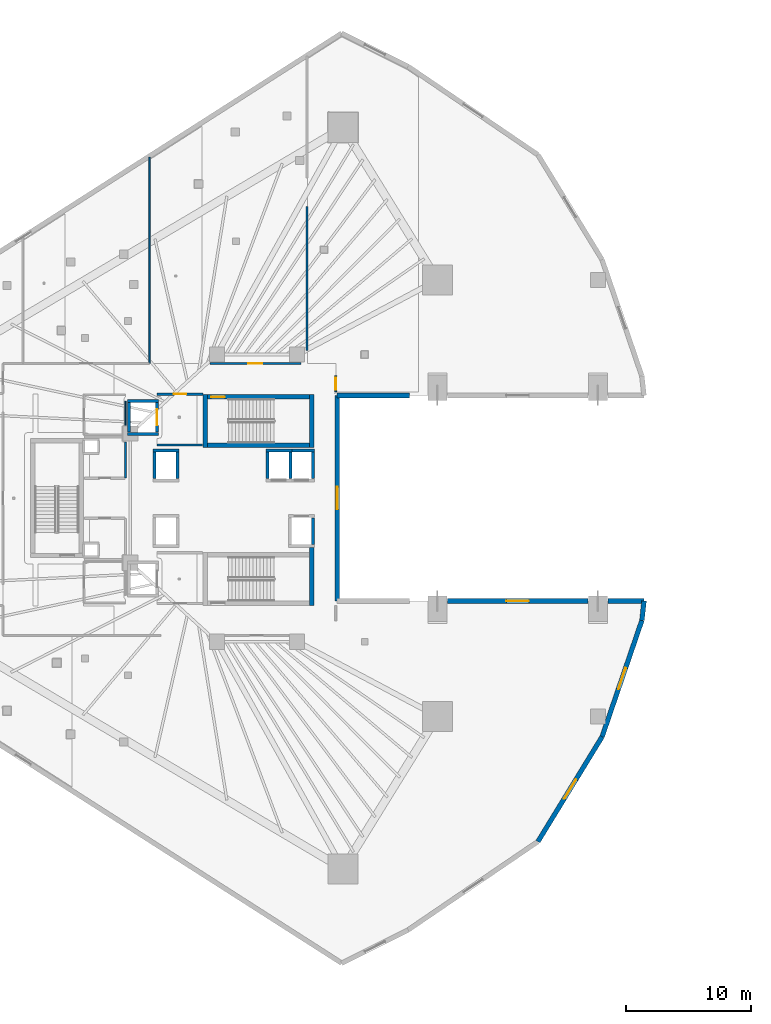
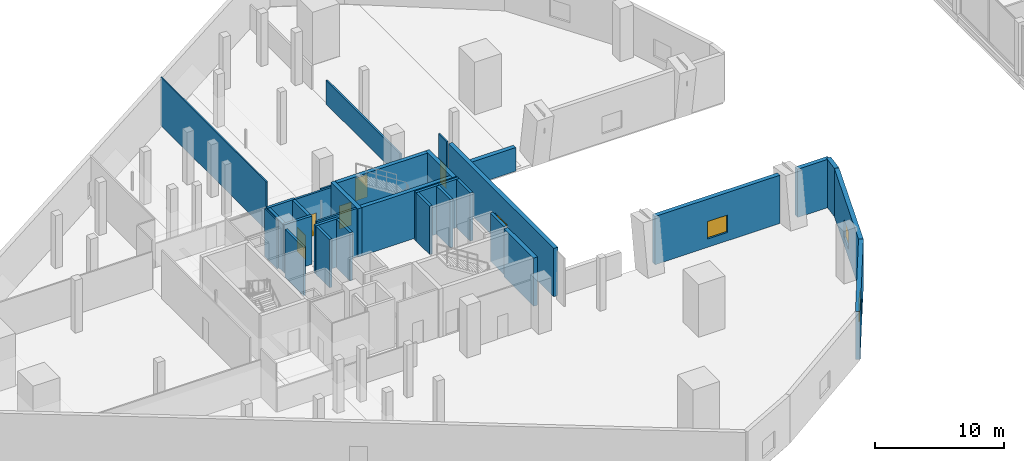
# One storey, part 30 of 43: 33 walls, 5 doors, 4 windows, 9 openings.
"""IFC4 building model written with IfcOpenShell, lengths in metres."""

from ifc_helpers import new_model, si_unit, direction, frame, frame_2d, origin, place, context, subcontext, project, spatial, rectangle, extrude, material, layer, layer_set, type_object, element, fill, save


model = new_model("IFC4")

# Units and contexts
model_context = context("Model", 3, precision=1e-05, world=origin(), true_north=direction((0.0, 1.0)))
body_context = subcontext(model_context, "Body", "Model", "MODEL_VIEW")
ifc_project = project(units=[si_unit("LENGTHUNIT", "METRE"), si_unit("AREAUNIT", "SQUARE_METRE"), si_unit("VOLUMEUNIT", "CUBIC_METRE"), si_unit("PLANEANGLEUNIT", "RADIAN"), si_unit("MASSUNIT", "GRAM", prefix="KILO")], contexts=[model_context])

# Site, building, storey
site_placement = place(None, origin())
site = spatial("IfcSite", under=ifc_project, at=site_placement, CompositionType="ELEMENT")
building_placement = place(site_placement, origin())
building = spatial("IfcBuilding", under=site, at=building_placement, Name="Qorvath Tower", CompositionType="ELEMENT")
storey_placement = place(building_placement, frame((0.0, 0.0, 22.0)))
storey = spatial("IfcBuildingStorey", under=building, at=storey_placement, Name="L04", CompositionType="ELEMENT", Elevation=22.0)

# Wall
ifc_material_1 = material(Name="Gypsum shaftliner on steel studs", Category="steel")
ifc_layer_1 = layer(ifc_material_1, 0.179931640625)
ifc_layer_set_1 = layer_set([ifc_layer_1], Name="FW-LOBBY")
wall_type_1 = type_object("IfcWallType", Name="FW-LOBBY", PredefinedType="PARTITIONING", material=ifc_layer_set_1)
wall_1_placement = place(storey_placement, frame((-28.35498046875, 4.25, 0.0), z_axis=(0.0, 0.0, 1.0), x_axis=(1.0, 0.0, 0.0)))
element("IfcWall", 1, at=wall_1_placement, inside=storey, type_object=wall_type_1, Name="Interior Partition IW-T1-L04-001", PredefinedType="PARTITIONING", context=body_context, shape_type="SweptSolid", body=[
    extrude(rectangle(XDim=3.6220703125, YDim=0.179931640625, at=frame_2d((1.81103515625, 0.0))), origin(), (0.0, 0.0, 1.0), 4.580078125),
])

# Wall, opening, door
wall_2_placement = place(storey_placement, frame((-24.68408203125, 8.300048828125, 0.0), z_axis=(0.0, 0.0, 1.0), x_axis=(-1.0, 0.0, 0.0)))
wall_2 = element("IfcWall", 2, at=wall_2_placement, inside=storey, type_object=wall_type_1, Name="Interior Partition IW-T1-L04-002", PredefinedType="PARTITIONING", context=body_context, shape_type="SweptSolid", body=[
    extrude(rectangle(XDim=3.6708984375, YDim=0.179931640625, at=frame_2d((1.83544921875, 0.0))), origin(), (0.0, 0.0, 1.0), 4.093017578125),
])
opening_1_placement = place(wall_2_placement, frame((1.33544921875, 0.0, 0.0)))
opening_1 = element("IfcOpeningElement", 3, at=opening_1_placement, cuts=wall_2, Name="Opening D-T1-L04-09", PredefinedType="OPENING", context=body_context, shape_type="SweptSolid", body=[
    extrude(rectangle(XDim=1.0, YDim=2.14990234375, at=frame_2d((0.5, 1.074951171875))), frame((0.0, 0.10009765625, 0.0), z_axis=(0.0, -1.0, 0.0), x_axis=(1.0, 0.0, 0.0)), (0.0, 0.0, 1.0), 0.199951171875),
])
ifc_material_2 = material(Name="Painted galvanised hollow metal", Category="steel")
door_type_1 = type_object("IfcDoorType", Name="FD-60", OperationType="NOTDEFINED", PredefinedType="DOOR", material=ifc_material_2)
door_1_placement = place(opening_1_placement, origin())
door_1 = element("IfcDoor", 4, at=door_1_placement, inside=storey, type_object=door_type_1, Name="Lobby Fire Service Elevator North Door D-T1-L04-09", OperationType="SINGLE_SWING_LEFT", OverallHeight=2.14990234375, OverallWidth=1.0, PredefinedType="DOOR", context=body_context, shape_type="SweptSolid", body=[
    extrude(rectangle(XDim=1.0, YDim=2.14990234375, at=frame_2d((0.5, 1.074951171875))), frame((0.0, 0.02490234375, 0.0), z_axis=(0.0, -1.0, 0.0), x_axis=(1.0, 0.0, 0.0)), (0.0, 0.0, 1.0), 0.050048828125),
])
fill(opening_1, door_1)

# Wall
wall_3_placement = place(storey_placement, frame((-30.8798828125, 1.625, 0.0), z_axis=(0.0, 0.0, 1.0), x_axis=(0.0, 1.0, 0.0)))
element("IfcWall", 5, at=wall_3_placement, inside=storey, type_object=wall_type_1, Name="Interior Partition IW-T1-L04-014", PredefinedType="PARTITIONING", context=body_context, shape_type="SweptSolid", body=[
    extrude(rectangle(XDim=2.860107421875, YDim=0.179931640625, at=frame_2d((1.43017578125, 0.0))), origin(), (0.0, 0.0, 1.0), 4.580078125),
])

# Wall, opening, door
ifc_material_3 = material(Name="Double acoustic gypsum board on steel studs", Category="steel")
ifc_layer_2 = layer(ifc_material_3, 0.159912109375)
ifc_layer_set_2 = layer_set([ifc_layer_2], Name="IW-ACOUSTIC-160")
wall_type_2 = type_object("IfcWallType", Name="IW-ACOUSTIC-160", PredefinedType="PARTITIONING", material=ifc_layer_set_2)
wall_4_placement = place(storey_placement, frame((-24.16015625, 10.758056640625, 0.0), z_axis=(0.0, 0.0, 1.0), x_axis=(1.0, 0.0, 0.0)))
wall_4 = element("IfcWall", 6, at=wall_4_placement, inside=storey, type_object=wall_type_2, Name="Interior Partition IW-T1-L04-025", PredefinedType="PARTITIONING", context=body_context, shape_type="SweptSolid", body=[
    extrude(rectangle(XDim=7.276611328125, YDim=0.159912109375, at=frame_2d((3.63818359375, 0.0))), origin(), (0.0, 0.0, 1.0), 2.25),
])
opening_2_placement = place(wall_4_placement, frame((3.08837890625, 0.0, 0.0)))
opening_2 = element("IfcOpeningElement", 7, at=opening_2_placement, cuts=wall_4, Name="Opening D-T1-L04-07", PredefinedType="OPENING", context=body_context, shape_type="SweptSolid", body=[
    extrude(rectangle(XDim=1.10009765625, YDim=2.14990234375, at=frame_2d((0.550048828125, 1.074951171875))), frame((0.0, 0.08984375, 0.0), z_axis=(0.0, -1.0, 0.0), x_axis=(1.0, 0.0, 0.0)), (0.0, 0.0, 1.0), 0.179931640625),
])
ifc_material_4 = material(Name="Anodised aluminium acoustic framed glass", Category="aluminium")
door_type_2 = type_object("IfcDoorType", Name="D-03", OperationType="NOTDEFINED", PredefinedType="DOOR", material=ifc_material_4)
door_2_placement = place(opening_2_placement, origin())
door_2 = element("IfcDoor", 8, at=door_2_placement, inside=storey, type_object=door_type_2, Name="L04-03 Client Services Office Door D-T1-L04-07", OperationType="SINGLE_SWING_LEFT", OverallHeight=2.14990234375, OverallWidth=1.10009765625, PredefinedType="DOOR", context=body_context, shape_type="SweptSolid", body=[
    extrude(rectangle(XDim=1.10009765625, YDim=2.14990234375, at=frame_2d((0.550048828125, 1.074951171875))), frame((0.0, 0.02490234375, 0.0), z_axis=(0.0, -1.0, 0.0), x_axis=(1.0, 0.0, 0.0)), (0.0, 0.0, 1.0), 0.050048828125),
])
fill(opening_2, door_2)

# Walls
wall_5_placement = place(storey_placement, frame((-16.388427734375, 11.7626953125, 0.0), z_axis=(0.0, 0.0, 1.0), x_axis=(0.0, 1.0, 0.0)))
element("IfcWall", 9, at=wall_5_placement, inside=storey, type_object=wall_type_2, Name="Interior Partition IW-T1-L04-026", PredefinedType="PARTITIONING", context=body_context, shape_type="SweptSolid", body=[
    extrude(rectangle(XDim=11.513916015625, YDim=0.159912109375, at=frame_2d((5.7568359375, 0.0))), origin(), (0.0, 0.0, 1.0), 2.25),
])
ifc_material_5 = material(Name="Gypsum board on metal studs with mineral wool", Category="gypsum")
ifc_layer_3 = layer(ifc_material_5, 0.125)
ifc_layer_set_3 = layer_set([ifc_layer_3], Name="IW-PART-125")
wall_type_3 = type_object("IfcWallType", Name="IW-PART-125", PredefinedType="PARTITIONING", material=ifc_layer_set_3)
wall_6_placement = place(storey_placement, frame((-28.9814453125, 10.783203125, 0.0), z_axis=(0.0, 0.0, 1.0), x_axis=(0.0, 1.0, 0.0)))
element("IfcWall", 10, at=wall_6_placement, inside=storey, type_object=wall_type_3, Name="Interior Partition IW-T1-L04-024", PredefinedType="PARTITIONING", context=body_context, shape_type="SweptSolid", body=[
    extrude(rectangle(XDim=16.4228515625, YDim=0.125, at=frame_2d((8.21142578125, 0.0))), origin(), (0.0, 0.0, 1.0), 4.580078125),
])

# Wall, opening, door
wall_7_placement = place(storey_placement, frame((-14.112060546875, 9.7705078125, 0.0), z_axis=(0.0, 0.0, 1.0), x_axis=(0.0, -1.0, 0.0)))
wall_7 = element("IfcWall", 11, at=wall_7_placement, inside=storey, type_object=wall_type_3, Name="Interior Partition IW-T1-L04-028", PredefinedType="PARTITIONING", context=body_context, shape_type="SweptSolid", body=[
    extrude(rectangle(XDim=1.29638671875, YDim=0.125, at=frame_2d((0.648193359375, 0.0))), origin(), (0.0, 0.0, 1.0), 4.580078125),
])
opening_3_placement = place(wall_7_placement, frame((0.173095703125, 0.0, 0.0)))
opening_3 = element("IfcOpeningElement", 12, at=opening_3_placement, cuts=wall_7, Name="Opening D-T1-L04-11", PredefinedType="OPENING", context=body_context, shape_type="SweptSolid", body=[
    extrude(rectangle(XDim=0.949951171875, YDim=2.14990234375, at=frame_2d((0.47509765625, 1.074951171875))), frame((0.0, 0.072509765625, 0.0), z_axis=(0.0, -1.0, 0.0), x_axis=(1.0, 0.0, 0.0)), (0.0, 0.0, 1.0), 0.14501953125),
])
ifc_material_6 = material(Name="Solid-core American white oak veneer", Category="wood")
door_type_3 = type_object("IfcDoorType", Name="D-01", OperationType="NOTDEFINED", PredefinedType="DOOR", material=ifc_material_6)
door_3_placement = place(opening_3_placement, origin())
door_3 = element("IfcDoor", 13, at=door_3_placement, inside=storey, type_object=door_type_3, Name="L04-04 Project Collaboration Workspace Door D-T1-L04-11", OperationType="SINGLE_SWING_LEFT", OverallHeight=2.14990234375, OverallWidth=0.949951171875, PredefinedType="DOOR", context=body_context, shape_type="SweptSolid", body=[
    extrude(rectangle(XDim=0.949951171875, YDim=2.14990234375, at=frame_2d((0.47509765625, 1.074951171875))), frame((0.0, 0.02490234375, 0.0), z_axis=(0.0, -1.0, 0.0), x_axis=(1.0, 0.0, 0.0)), (0.0, 0.0, 1.0), 0.050048828125),
])
fill(opening_3, door_3)

# Walls
ifc_material_7 = material(Name="Moisture-resistant cement board on metal studs", Category="gypsum")
ifc_layer_4 = layer(ifc_material_7, 0.110107421875)
ifc_layer_set_4 = layer_set([ifc_layer_4], Name="IW-WC-110")
wall_type_4 = type_object("IfcWallType", Name="IW-WC-110", PredefinedType="PARTITIONING", material=ifc_layer_set_4)
wall_8_placement = place(storey_placement, frame((-30.8798828125, 5.81494140625, 0.0), z_axis=(0.0, 0.0, 1.0), x_axis=(0.0, 1.0, 0.0)))
element("IfcWall", 14, at=wall_8_placement, inside=storey, type_object=wall_type_4, Name="Interior Partition IW-T1-L04-007", PredefinedType="PARTITIONING", context=body_context, shape_type="SweptSolid", body=[
    extrude(rectangle(XDim=1.927978515625, YDim=0.110107421875, at=frame_2d((0.9638671875, 0.0))), origin(), (0.0, 0.0, 1.0), 4.580078125),
])
ifc_material_8 = material(Name="Concrete C60/75", Category="concrete")
ifc_layer_5 = layer(ifc_material_8, 0.260009765625)
ifc_layer_set_5 = layer_set([ifc_layer_5], Name="SW-SHAFT")
wall_type_5 = type_object("IfcWallType", Name="SW-SHAFT", PredefinedType="SHEAR", material=ifc_layer_set_5)
for number, where, z_axis, x_axis, name in (
    (15, (-28.260009765625, 5.1298828125, 0.0), (0.0, 0.0, 1.0), (-1.0, 0.0, 0.0), "Hoistway Wall FSAE-1 L04 S"),
    (16, (-30.739990234375, 7.77001953125, 0.0), (0.0, 0.0, 1.0), (1.0, 0.0, 0.0), "Hoistway Wall FSAE-1 L04 N"),
):
    element("IfcWall", number, at=place(storey_placement, frame(where, z_axis=z_axis, x_axis=x_axis)), inside=storey, type_object=wall_type_5, Name=name, PredefinedType="SHEAR", context=body_context, shape_type="SweptSolid", body=[
        extrude(rectangle(XDim=2.47998046875, YDim=0.239990234375, at=frame_2d((1.239990234375, 0.0))), origin(), (0.0, 0.0, 1.0), 4.580078125),
    ])
wall_9_placement = place(storey_placement, frame((-30.6201171875, 5.261962890625, 0.0), z_axis=(0.0, 0.0, 1.0), x_axis=(0.0, 1.0, 0.0)))
element("IfcWall", 17, at=wall_9_placement, inside=storey, type_object=wall_type_5, Name="Hoistway Wall FSAE-1 L04 W", PredefinedType="SHEAR", context=body_context, shape_type="SweptSolid", body=[
    extrude(rectangle(XDim=2.3759765625, YDim=0.239990234375, at=frame_2d((1.18798828125, 0.0))), origin(), (0.0, 0.0, 1.0), 4.580078125),
])

# Wall, opening, door
wall_10_placement = place(storey_placement, frame((-28.3798828125, 7.637939453125, 0.0), z_axis=(0.0, 0.0, 1.0), x_axis=(0.0, -1.0, 0.0)))
wall_10 = element("IfcWall", 18, at=wall_10_placement, inside=storey, type_object=wall_type_5, Name="Hoistway Wall FSAE-1 L04 E", PredefinedType="SHEAR", context=body_context, shape_type="SweptSolid", body=[
    extrude(rectangle(XDim=2.3759765625, YDim=0.239990234375, at=frame_2d((1.18798828125, 0.0))), origin(), (0.0, 0.0, 1.0), 4.580078125),
])
opening_4_placement = place(wall_10_placement, frame((0.537841796875, 0.0, 0.0)))
opening_4 = element("IfcOpeningElement", 19, at=opening_4_placement, cuts=wall_10, Name="Opening LD-FSAE-1-L04", PredefinedType="OPENING", context=body_context, shape_type="SweptSolid", body=[
    extrude(rectangle(XDim=1.300048828125, YDim=2.300048828125, at=frame_2d((0.64990234375, 1.14990234375))), frame((0.0, 0.1298828125, 0.0), z_axis=(0.0, -1.0, 0.0), x_axis=(1.0, 0.0, 0.0)), (0.0, 0.0, 1.0), 0.260009765625),
])
ifc_material_9 = material(Name="Brushed stainless steel AISI 316", Category="steel")
door_type_4 = type_object("IfcDoorType", Name="LD-02", OperationType="NOTDEFINED", PredefinedType="DOOR", material=ifc_material_9)
door_4_placement = place(opening_4_placement, origin())
door_4 = element("IfcDoor", 20, at=door_4_placement, inside=storey, type_object=door_type_4, Name="Elevator Landing Sliding Door LD-FSAE-1-L04", OperationType="DOUBLE_DOOR_SLIDING", OverallHeight=2.300048828125, OverallWidth=1.300048828125, PredefinedType="DOOR", context=body_context, shape_type="SweptSolid", body=[
    extrude(rectangle(XDim=1.300048828125, YDim=2.300048828125, at=frame_2d((0.64990234375, 1.14990234375))), frame((0.0, 0.02490234375, 0.0), z_axis=(0.0, -1.0, 0.0), x_axis=(1.0, 0.0, 0.0)), (0.0, 0.0, 1.0), 0.050048828125),
])
fill(opening_4, door_4)

# Walls
wall_11_placement = place(storey_placement, frame((-28.68994140625, 3.820068359375, 0.0), z_axis=(0.0, 0.0, 1.0), x_axis=(1.0, 0.0, 0.0)))
element("IfcWall", 21, at=wall_11_placement, inside=storey, type_object=wall_type_5, Name="Hoistway Wall PS-1 L04 N", PredefinedType="SHEAR", context=body_context, shape_type="SweptSolid", body=[
    extrude(rectangle(XDim=2.079833984375, YDim=0.239990234375, at=frame_2d((1.0400390625, 0.0))), origin(), (0.0, 0.0, 1.0), 4.580078125),
])
for number, where, z_axis, x_axis, name in (
    (22, (-28.570068359375, 1.56201171875, 0.0), (0.0, 0.0, 1.0), (0.0, 1.0, 0.0), "Hoistway Wall PS-1 L04 W"),
    (23, (-26.72998046875, 3.68798828125, 0.0), (0.0, 0.0, 1.0), (0.0, -1.0, 0.0), "Hoistway Wall PS-1 L04 E"),
):
    element("IfcWall", number, at=place(storey_placement, frame(where, z_axis=z_axis, x_axis=x_axis)), inside=storey, type_object=wall_type_5, Name=name, PredefinedType="SHEAR", context=body_context, shape_type="SweptSolid", body=[
        extrude(rectangle(XDim=2.1259765625, YDim=0.239990234375, at=frame_2d((1.06298828125, 0.0))), origin(), (0.0, 0.0, 1.0), 4.580078125),
    ])
wall_12_placement = place(storey_placement, frame((-19.68994140625, 3.820068359375, 0.0), z_axis=(0.0, 0.0, 1.0), x_axis=(1.0, 0.0, 0.0)))
element("IfcWall", 24, at=wall_12_placement, inside=storey, type_object=wall_type_5, Name="Hoistway Wall PL-1 L04 N", PredefinedType="SHEAR", context=body_context, shape_type="SweptSolid", body=[
    extrude(rectangle(XDim=2.079833984375, YDim=0.239990234375, at=frame_2d((1.0400390625, 0.0))), origin(), (0.0, 0.0, 1.0), 4.580078125),
])
for number, where, z_axis, x_axis, name in (
    (25, (-19.570068359375, 1.56201171875, 0.0), (0.0, 0.0, 1.0), (0.0, 1.0, 0.0), "Hoistway Wall PL-1 L04 W"),
    (26, (-17.72998046875, 3.68798828125, 0.0), (0.0, 0.0, 1.0), (0.0, -1.0, 0.0), "Hoistway Wall PL-1 L04 E"),
):
    element("IfcWall", number, at=place(storey_placement, frame(where, z_axis=z_axis, x_axis=x_axis)), inside=storey, type_object=wall_type_5, Name=name, PredefinedType="SHEAR", context=body_context, shape_type="SweptSolid", body=[
        extrude(rectangle(XDim=2.1259765625, YDim=0.239990234375, at=frame_2d((1.06298828125, 0.0))), origin(), (0.0, 0.0, 1.0), 4.580078125),
    ])
wall_13_placement = place(storey_placement, frame((-17.610107421875, 3.820068359375, 0.0), z_axis=(0.0, 0.0, 1.0), x_axis=(1.0, 0.0, 0.0)))
element("IfcWall", 27, at=wall_13_placement, inside=storey, type_object=wall_type_5, Name="Hoistway Wall PL-3 L04 N", PredefinedType="SHEAR", context=body_context, shape_type="SweptSolid", body=[
    extrude(rectangle(XDim=1.800048828125, YDim=0.239990234375, at=frame_2d((0.89990234375, 0.0))), origin(), (0.0, 0.0, 1.0), 4.580078125),
])
for number, where, z_axis, x_axis, name in (
    (28, (-15.929931640625, 3.68798828125, 0.0), (0.0, 0.0, 1.0), (0.0, -1.0, 0.0), "Hoistway Wall PL-3 L04 E"),
    (29, (-15.929931640625, -1.56201171875, 0.0), (0.0, 0.0, 1.0), (0.0, -1.0, 0.0), "Hoistway Wall PL-2 L04 E"),
):
    element("IfcWall", number, at=place(storey_placement, frame(where, z_axis=z_axis, x_axis=x_axis)), inside=storey, type_object=wall_type_5, Name=name, PredefinedType="SHEAR", context=body_context, shape_type="SweptSolid", body=[
        extrude(rectangle(XDim=2.1259765625, YDim=0.239990234375, at=frame_2d((1.06298828125, 0.0))), origin(), (0.0, 0.0, 1.0), 4.580078125),
    ])
ifc_material_10 = material(Name="Concrete C60/75", Category="concrete")
ifc_layer_6 = layer(ifc_material_10, 0.35009765625)
ifc_layer_set_6 = layer_set([ifc_layer_6], Name="SW-STAIR")
wall_type_6 = type_object("IfcWallType", Name="SW-STAIR", PredefinedType="SHEAR", material=ifc_layer_set_6)
for number, where, z_axis, x_axis, name in (
    (30, (-24.52490234375, 8.260009765625, 0.0), (0.0, 0.0, 1.0), (0.0, -1.0, 0.0), "Stair TS1 Shear Wall L04 NEAR"),
    (31, (-16.02490234375, 4.050048828125, 0.0), (0.0, 0.0, 1.0), (0.0, 1.0, 0.0), "Stair TS1 Shear Wall L04 FAR"),
):
    element("IfcWall", number, at=place(storey_placement, frame(where, z_axis=z_axis, x_axis=x_axis)), inside=storey, type_object=wall_type_6, Name=name, PredefinedType="SHEAR", context=body_context, shape_type="SweptSolid", body=[
        extrude(rectangle(XDim=4.2099609375, YDim=0.35009765625, at=frame_2d((2.10498046875, 0.0))), origin(), (0.0, 0.0, 1.0), 4.580078125),
    ])
wall_14_placement = place(storey_placement, frame((-24.3349609375, 4.22509765625, 0.0), z_axis=(0.0, 0.0, 1.0), x_axis=(1.0, 0.0, 0.0)))
element("IfcWall", 32, at=wall_14_placement, inside=storey, type_object=wall_type_6, Name="Stair TS1 Shear Wall L04 LEFT", PredefinedType="SHEAR", context=body_context, shape_type="SweptSolid", body=[
    extrude(rectangle(XDim=8.119873046875, YDim=0.35009765625, at=frame_2d((4.06005859375, 0.0))), origin(), (0.0, 0.0, 1.0), 4.580078125),
])

# Wall, opening, door
wall_15_placement = place(storey_placement, frame((-16.215087890625, 8.0849609375, 0.0), z_axis=(0.0, 0.0, 1.0), x_axis=(-1.0, 0.0, 0.0)))
wall_15 = element("IfcWall", 33, at=wall_15_placement, inside=storey, type_object=wall_type_6, Name="Stair TS1 Shear Wall L04 RIGHT", PredefinedType="SHEAR", context=body_context, shape_type="SweptSolid", body=[
    extrude(rectangle(XDim=8.119873046875, YDim=0.35009765625, at=frame_2d((4.06005859375, 0.0))), origin(), (0.0, 0.0, 1.0), 4.580078125),
])
opening_5_placement = place(wall_15_placement, frame((6.739990234375, 0.0, 0.0)))
opening_5 = element("IfcOpeningElement", 34, at=opening_5_placement, cuts=wall_15, Name="Opening D-TS1-L04", PredefinedType="OPENING", context=body_context, shape_type="SweptSolid", body=[
    extrude(rectangle(XDim=1.10009765625, YDim=2.199951171875, at=frame_2d((0.550048828125, 1.10009765625))), frame((0.0, 0.18505859375, 0.0), z_axis=(0.0, -1.0, 0.0), x_axis=(1.0, 0.0, 0.0)), (0.0, 0.0, 1.0), 0.3701171875),
])
ifc_material_11 = material(Name="Painted galvanised hollow metal", Category="steel")
door_type_5 = type_object("IfcDoorType", Name="FD-90", OperationType="NOTDEFINED", PredefinedType="DOOR", material=ifc_material_11)
door_5_placement = place(opening_5_placement, origin())
door_5 = element("IfcDoor", 35, at=door_5_placement, inside=storey, type_object=door_type_5, Name="Stair TS1 Fire Door L04", OperationType="SINGLE_SWING_LEFT", OverallHeight=2.199951171875, OverallWidth=1.10009765625, PredefinedType="DOOR", context=body_context, shape_type="SweptSolid", body=[
    extrude(rectangle(XDim=1.10009765625, YDim=2.199951171875, at=frame_2d((0.550048828125, 1.10009765625))), frame((0.0, 0.02490234375, 0.0), z_axis=(0.0, -1.0, 0.0), x_axis=(1.0, 0.0, 0.0)), (0.0, 0.0, 1.0), 0.050048828125),
])
fill(opening_5, door_5)

# Walls
wall_16_placement = place(storey_placement, frame((-16.02490234375, -8.550048828125, 0.0), z_axis=(0.0, 0.0, 1.0), x_axis=(0.0, 1.0, 0.0)))
element("IfcWall", 36, at=wall_16_placement, inside=storey, type_object=wall_type_6, Name="Stair TS2 Shear Wall L04 FAR", PredefinedType="SHEAR", context=body_context, shape_type="SweptSolid", body=[
    extrude(rectangle(XDim=4.610107421875, YDim=0.35009765625, at=frame_2d((2.30517578125, 0.0))), origin(), (0.0, 0.0, 1.0), 4.580078125),
])
ifc_material_12 = material(Name="Precast concrete C50/60", Category="concrete")
ifc_layer_7 = layer(ifc_material_12, 0.3798828125)
ifc_layer_set_7 = layer_set([ifc_layer_7], Name="WL-EW-POD-380")
wall_type_7 = type_object("IfcWallType", Name="WL-EW-POD-380", PredefinedType="SOLIDWALL", material=ifc_layer_set_7)
wall_17_placement = place(storey_placement, frame((10.483154296875, -8.199951171875, 0.0), z_axis=(0.0, 0.0, 1.0), x_axis=(-1.0, 0.0, 0.0)))
element("IfcWall", 37, at=wall_17_placement, inside=storey, type_object=wall_type_7, Name="Tower Podium Precast Facade Wall L04-1.1", PredefinedType="SOLIDWALL", context=body_context, shape_type="SweptSolid", body=[
    extrude(rectangle(XDim=2.88818359375, YDim=0.3798828125, at=frame_2d((1.444091796875, 0.0))), origin(), (0.0, 0.0, 1.0), 4.580078125),
])

# Wall, opening, window
wall_18_placement = place(storey_placement, frame((6.0048828125, -8.199951171875, 0.0), z_axis=(0.0, 0.0, 1.0), x_axis=(-1.0, 0.0, 0.0)))
wall_18 = element("IfcWall", 38, at=wall_18_placement, inside=storey, type_object=wall_type_7, Name="Tower Podium Precast Facade Wall L04-1.2", PredefinedType="SOLIDWALL", context=body_context, shape_type="SweptSolid", body=[
    extrude(rectangle(XDim=11.2099609375, YDim=0.3798828125, at=frame_2d((5.60498046875, 0.0))), origin(), (0.0, 0.0, 1.0), 4.580078125),
])
opening_6_placement = place(wall_18_placement, frame((4.705078125, 0.0, 0.800048828125)))
opening_6 = element("IfcOpeningElement", 39, at=opening_6_placement, cuts=wall_18, Name="Opening WN-L04-043", PredefinedType="OPENING", context=body_context, shape_type="SweptSolid", body=[
    extrude(rectangle(XDim=1.800048828125, YDim=1.64990234375, at=frame_2d((0.89990234375, 0.824951171875))), frame((0.0, 0.199951171875, 0.0), z_axis=(0.0, -1.0, 0.0), x_axis=(1.0, 0.0, 0.0)), (0.0, 0.0, 1.0), 0.39990234375),
])
ifc_material_13 = material(Name="Thermally broken aluminium and triple low-E glass", Category="aluminium")
window_type = type_object("IfcWindowType", Name="WN-1", PartitioningType="SINGLE_PANEL", PredefinedType="WINDOW", material=ifc_material_13)
window_1_placement = place(opening_6_placement, origin())
window_1 = element("IfcWindow", 40, at=window_1_placement, inside=storey, type_object=window_type, Name="Podium Punched Window L04-043", OverallHeight=1.64990234375, OverallWidth=1.800048828125, PartitioningType="SINGLE_PANEL", PredefinedType="WINDOW", context=body_context, shape_type="SweptSolid", body=[
    extrude(rectangle(XDim=1.800048828125, YDim=1.64990234375, at=frame_2d((0.89990234375, 0.824951171875))), frame((0.0, 0.030029296875, 0.0), z_axis=(0.0, -1.0, 0.0), x_axis=(1.0, 0.0, 0.0)), (0.0, 0.0, 1.0), 0.06005859375),
])
fill(opening_6, window_1)

wall_19_placement = place(storey_placement, frame((-14.0, 8.199951171875, 0.0), z_axis=(0.0, 0.0, 1.0), x_axis=(0.0, -1.0, 0.0)))
wall_19 = element("IfcWall", 41, at=wall_19_placement, inside=storey, type_object=wall_type_7, Name="Tower Podium Precast Facade Wall L04-2.1", PredefinedType="SOLIDWALL", context=body_context, shape_type="SweptSolid", body=[
    extrude(rectangle(XDim=16.39990234375, YDim=0.3798828125, at=frame_2d((8.199951171875, 0.0))), origin(), (0.0, 0.0, 1.0), 4.580078125),
])
opening_7_placement = place(wall_19_placement, frame((7.300048828125, 0.0, 0.800048828125)))
opening_7 = element("IfcOpeningElement", 42, at=opening_7_placement, cuts=wall_19, Name="Opening WN-L04-044", PredefinedType="OPENING", context=body_context, shape_type="SweptSolid", body=[
    extrude(rectangle(XDim=1.800048828125, YDim=1.64990234375, at=frame_2d((0.89990234375, 0.824951171875))), frame((0.0, 0.199951171875, 0.0), z_axis=(0.0, -1.0, 0.0), x_axis=(1.0, 0.0, 0.0)), (0.0, 0.0, 1.0), 0.39990234375),
])
window_2_placement = place(opening_7_placement, origin())
window_2 = element("IfcWindow", 43, at=window_2_placement, inside=storey, type_object=window_type, Name="Podium Punched Window L04-044", OverallHeight=1.64990234375, OverallWidth=1.800048828125, PartitioningType="SINGLE_PANEL", PredefinedType="WINDOW", context=body_context, shape_type="SweptSolid", body=[
    extrude(rectangle(XDim=1.800048828125, YDim=1.64990234375, at=frame_2d((0.89990234375, 0.824951171875))), frame((0.0, 0.030029296875, 0.0), z_axis=(0.0, -1.0, 0.0), x_axis=(1.0, 0.0, 0.0)), (0.0, 0.0, 1.0), 0.06005859375),
])
fill(opening_7, window_2)

# Wall
wall_20_placement = place(storey_placement, frame((-14.0, 8.199951171875, 0.0), z_axis=(0.0, 0.0, 1.0), x_axis=(1.0, 0.0, 0.0)))
element("IfcWall", 44, at=wall_20_placement, inside=storey, type_object=wall_type_7, Name="Tower Podium Precast Facade Wall L04-3.1", PredefinedType="SOLIDWALL", context=body_context, shape_type="SweptSolid", body=[
    extrude(rectangle(XDim=5.762939453125, YDim=0.3798828125, at=frame_2d((2.88134765625, 0.0))), origin(), (0.0, 0.0, 1.0), 2.25),
])

# Wall, opening, window
wall_21_placement = place(storey_placement, frame((7.139404296875, -19.029052734375, 0.0), z_axis=(0.0, 0.0, 1.0), x_axis=(-0.521922160909, -0.852993117178, 0.0)))
wall_21 = element("IfcWall", 45, at=wall_21_placement, inside=storey, type_object=wall_type_7, Name="Tower Podium Precast Facade Wall L04-14.1", PredefinedType="SOLIDWALL", context=body_context, shape_type="SweptSolid", body=[
    extrude(rectangle(XDim=9.807861328125, YDim=0.3798828125, at=frame_2d((4.90380859375, 0.0))), origin(), (0.0, 0.0, 1.0), 4.580078125),
])
opening_8_placement = place(wall_21_placement, frame((4.00390625, 0.0, 0.800048828125)))
opening_8 = element("IfcOpeningElement", 46, at=opening_8_placement, cuts=wall_21, Name="Opening WN-L04-055", PredefinedType="OPENING", context=body_context, shape_type="SweptSolid", body=[
    extrude(rectangle(XDim=1.800048828125, YDim=1.64990234375, at=frame_2d((0.89990234375, 0.824951171875))), frame((0.0, 0.199951171875, 0.0), z_axis=(0.0, -1.0, 0.0), x_axis=(1.0, 0.0, 0.0)), (0.0, 0.0, 1.0), 0.39990234375),
])
window_3_placement = place(opening_8_placement, origin())
window_3 = element("IfcWindow", 47, at=window_3_placement, inside=storey, type_object=window_type, Name="Podium Punched Window L04-055", OverallHeight=1.64990234375, OverallWidth=1.800048828125, PartitioningType="SINGLE_PANEL", PredefinedType="WINDOW", context=body_context, shape_type="SweptSolid", body=[
    extrude(rectangle(XDim=1.800048828125, YDim=1.64990234375, at=frame_2d((0.89990234375, 0.824951171875))), frame((0.0, 0.030029296875, 0.0), z_axis=(0.0, -1.0, 0.0), x_axis=(1.0, 0.0, 0.0)), (0.0, 0.0, 1.0), 0.06005859375),
])
fill(opening_8, window_3)

wall_22_placement = place(storey_placement, frame((10.3125, -9.748779296875, 0.0), z_axis=(0.0, 0.0, 1.0), x_axis=(-0.323529337119, -0.946218139767, 0.0)))
wall_22 = element("IfcWall", 48, at=wall_22_placement, inside=storey, type_object=wall_type_7, Name="Tower Podium Precast Facade Wall L04-15.1", PredefinedType="SOLIDWALL", context=body_context, shape_type="SweptSolid", body=[
    extrude(rectangle(XDim=9.807861328125, YDim=0.3798828125, at=frame_2d((4.90380859375, 0.0))), origin(), (0.0, 0.0, 1.0), 4.580078125),
])
opening_9_placement = place(wall_22_placement, frame((4.00390625, 0.0, 0.800048828125)))
opening_9 = element("IfcOpeningElement", 49, at=opening_9_placement, cuts=wall_22, Name="Opening WN-L04-056", PredefinedType="OPENING", context=body_context, shape_type="SweptSolid", body=[
    extrude(rectangle(XDim=1.800048828125, YDim=1.64990234375, at=frame_2d((0.89990234375, 0.824951171875))), frame((0.0, 0.199951171875, 0.0), z_axis=(0.0, -1.0, 0.0), x_axis=(1.0, 0.0, 0.0)), (0.0, 0.0, 1.0), 0.39990234375),
])
window_4_placement = place(opening_9_placement, origin())
window_4 = element("IfcWindow", 50, at=window_4_placement, inside=storey, type_object=window_type, Name="Podium Punched Window L04-056", OverallHeight=1.64990234375, OverallWidth=1.800048828125, PartitioningType="SINGLE_PANEL", PredefinedType="WINDOW", context=body_context, shape_type="SweptSolid", body=[
    extrude(rectangle(XDim=1.800048828125, YDim=1.64990234375, at=frame_2d((0.89990234375, 0.824951171875))), frame((0.0, 0.030029296875, 0.0), z_axis=(0.0, -1.0, 0.0), x_axis=(1.0, 0.0, 0.0)), (0.0, 0.0, 1.0), 0.06005859375),
])
fill(opening_9, window_4)

# Wall
wall_23_placement = place(storey_placement, frame((10.483154296875, -8.199951171875, 0.0), z_axis=(0.0, 0.0, 1.0), x_axis=(-0.109520054504, -0.993984586229, 0.0)))
element("IfcWall", 51, at=wall_23_placement, inside=storey, type_object=wall_type_7, Name="Tower Podium Precast Facade Wall L04-16.1", PredefinedType="SOLIDWALL", context=body_context, shape_type="SweptSolid", body=[
    extrude(rectangle(XDim=1.55810546875, YDim=0.3798828125, at=frame_2d((0.779052734375, 0.0))), origin(), (0.0, 0.0, 1.0), 4.580078125),
])

save(model, "model.ifc")
